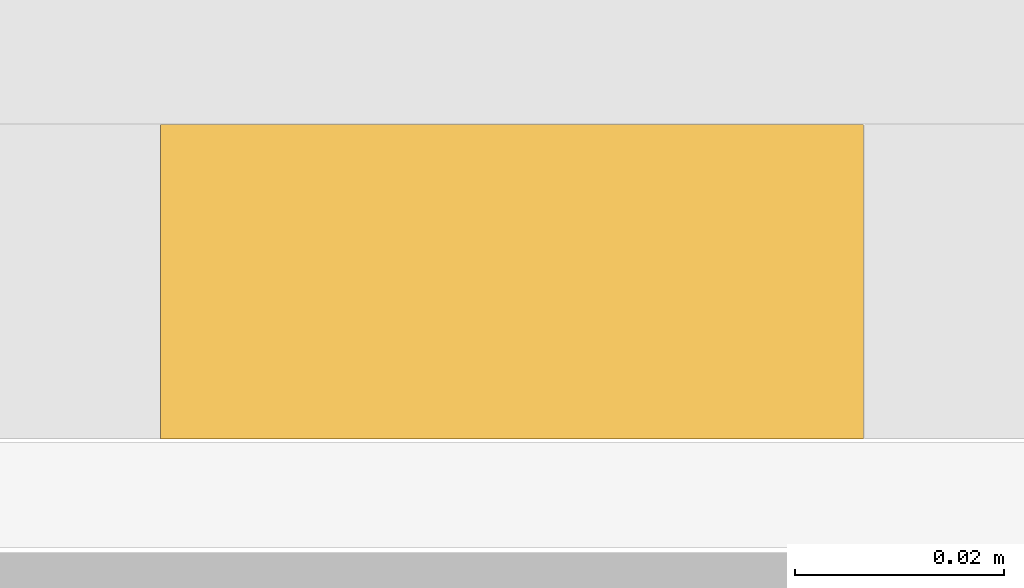
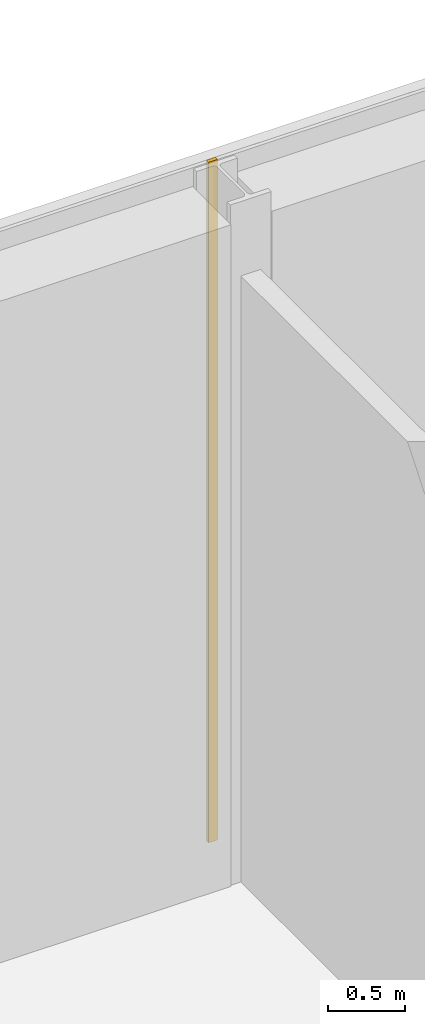
# One storey, part 51 of 57: 1 covering.
"""IFC4 building model written with IfcOpenShell, lengths in metres."""

from ifc_helpers import new_model, si_unit, direction, frame, origin, origin_2d, place, context, subcontext, project, spatial, rectangle, extrude, material, layer, layer_set, type_object, element, save


model = new_model("IFC4")

# Units and contexts
model_context = context("Model", 3, precision=1e-05, world=origin(), true_north=direction((0.0, 1.0)))
body_context = subcontext(model_context, "Body", "Model", "MODEL_VIEW")
ifc_project = project(units=[si_unit("LENGTHUNIT", "METRE"), si_unit("AREAUNIT", "SQUARE_METRE"), si_unit("VOLUMEUNIT", "CUBIC_METRE"), si_unit("PLANEANGLEUNIT", "RADIAN"), si_unit("MASSUNIT", "GRAM", prefix="KILO")], contexts=[model_context])

# Site, building, storey
site_placement = place(None, origin())
site = spatial("IfcSite", under=ifc_project, at=site_placement, CompositionType="ELEMENT")
building_placement = place(site_placement, origin())
building = spatial("IfcBuilding", under=site, at=building_placement, Name="Galleria Vessillo Department Store", CompositionType="ELEMENT")
storey_placement = place(building_placement, frame((0.0, 0.0, 25.800048828125)))
storey = spatial("IfcBuildingStorey", under=building, at=storey_placement, Name="L05", CompositionType="ELEMENT", Elevation=25.800048828125)

# Covering
ifc_material = material(Name="Lime plaster (intonaco) ochre")
ifc_layer = layer(ifc_material, 0.030029296875)
ifc_layer_set = layer_set([ifc_layer], Name="Lime plaster (intonaco) ochre")
covering_type = type_object("IfcCoveringType", Name="Lime plaster render 30 mm", PredefinedType="CLADDING", material=ifc_layer_set)
covering_placement = place(storey_placement, frame((92.39990234375, 63.264892578125, 0.0), z_axis=(0.0, 0.0, 1.0), x_axis=(1.0, 0.0, 0.0)))
element("IfcCovering", 1, at=covering_placement, inside=storey, type_object=covering_type, Name="Joint block Wall cladding S-PN-L05-07", PredefinedType="CLADDING", context=body_context, shape_type="SweptSolid", body=[
    extrude(rectangle(XDim=0.067138671875, YDim=0.030029296875, at=origin_2d()), origin(), (0.0, 0.0, 1.0), 5.39990234375),
])

save(model, "model.ifc")
